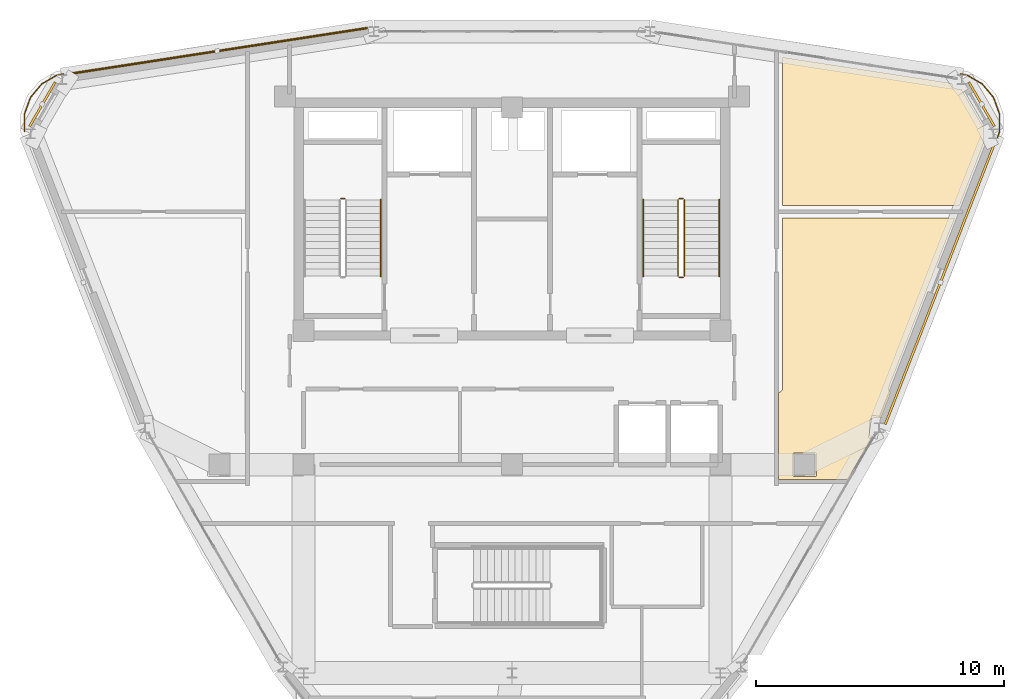
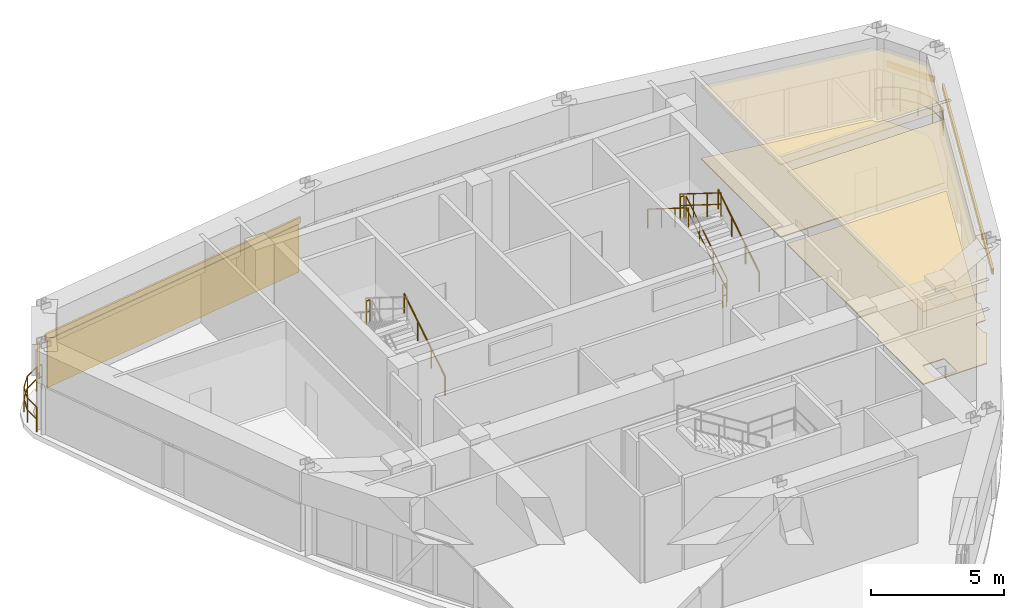
# One storey, part 17 of 17: 10 railings, 5 coverings, 4 shading devices.
"""IFC4 building model written with IfcOpenShell, lengths in metres."""

from ifc_helpers import new_model, si_unit, derived_unit, direction, frame, origin, origin_2d, place, context, subcontext, project, spatial, polyline, hollow_rectangle, circle, outline, extrude, source, transform, mapped, material, layer, layer_set, material_profile, profile_set, type_object, element, save


model = new_model("IFC4")

# Units and contexts
model_context = context("Model", 3, precision=1e-05, world=origin(), true_north=direction((0.0, 1.0)))
body_context = subcontext(model_context, "Body", "Model", "MODEL_VIEW")
ifc_project = project(units=[si_unit("LENGTHUNIT", "METRE"), si_unit("AREAUNIT", "SQUARE_METRE"), si_unit("VOLUMEUNIT", "CUBIC_METRE"), si_unit("PLANEANGLEUNIT", "RADIAN"), si_unit("MASSUNIT", "GRAM", prefix="KILO"), derived_unit("THERMALTRANSMITTANCEUNIT", [(si_unit("POWERUNIT", "WATT"), 1), (si_unit("LENGTHUNIT", "METRE"), -2), (si_unit("THERMODYNAMICTEMPERATUREUNIT", "KELVIN"), -1)])], contexts=[model_context])

# Site, building, storey
site_placement = place(None, origin())
site = spatial("IfcSite", under=ifc_project, at=site_placement, CompositionType="ELEMENT")
building_placement = place(site_placement, origin())
building = spatial("IfcBuilding", under=site, at=building_placement, Name="Korsvarv Bourse and Concert Hall", CompositionType="ELEMENT")
storey_placement = place(building_placement, frame((0.0, 0.0, 279.60009765625)))
storey = spatial("IfcBuildingStorey", under=building, at=storey_placement, Name="L73", CompositionType="ELEMENT", Elevation=279.60009765625)

# Coverings
ifc_material_1 = material(Name="Perforated mineral-wool and birch acoustic baffle ceiling", Category="wood")
ifc_layer_1 = layer(ifc_material_1, 0.02490234375)
ifc_layer_set_1 = layer_set([ifc_layer_1], Name="Perforated mineral-wool and birch acoustic baffle ceiling")
covering_type_1 = type_object("IfcCoveringType", Name="COV-CEIL-1", PredefinedType="CEILING", material=ifc_layer_set_1)
covering_1_placement = place(storey_placement, frame((0.0, 0.0, 3.33984375)))
element("IfcCovering", 1, at=covering_1_placement, inside=storey, type_object=covering_type_1, Name="L73 acoustic baffle ceiling 1", PredefinedType="CEILING", context=body_context, shape_type="SweptSolid", body=[
    extrude(outline(polyline([(46.75, 35.311279296875), (46.775146484375, 35.31591796875), (46.809326171875, 35.328369140625), (46.840087890625, 35.34765625), (46.86669921875, 35.372802734375), (46.887451171875, 35.402587890625), (46.901611328125, 35.43603515625), (46.9091796875, 35.4716796875), (46.909912109375, 42.35009765625), (53.8505859375, 42.35009765625), (51.202392578125, 35.544189453125), (51.19287109375, 35.50927734375), (51.1904296875, 35.472900390625), (51.1953125, 35.436767578125), (51.20751953125, 35.40234375), (51.22607421875, 35.37109375), (51.250732421875, 35.344482421875), (51.2802734375, 35.322998046875), (50.880615234375, 34.27587890625), (50.595947265625, 34.27880859375), (50.561279296875, 34.27587890625), (50.527587890625, 34.26611328125), (50.49658203125, 34.25), (50.468994140625, 34.228515625), (50.446533203125, 34.20166015625), (50.429443359375, 34.171142578125), (50.41845703125, 34.137939453125), (50.414306640625, 34.103271484375), (50.404296875, 33.6943359375), (50.40673828125, 33.659423828125), (50.416015625, 33.6259765625), (50.431396484375, 33.5947265625), (50.45263671875, 33.56689453125), (50.478759765625, 33.5439453125), (50.5087890625, 33.5263671875), (49.51611328125, 31.794921875), (49.4912109375, 31.802001953125), (49.45556640625, 31.8056640625), (46.75, 31.81005859375), (46.75, 35.311279296875)]), holes=[polyline([(47.365234375, 31.926025390625), (48.22509765625, 31.925048828125), (48.24853515625, 31.930908203125), (48.2666015625, 31.947265625), (48.27490234375, 31.97021484375), (48.27490234375, 32.824951171875), (48.26904296875, 32.8486328125), (48.252685546875, 32.86669921875), (48.22998046875, 32.874755859375), (47.375, 32.875), (47.351318359375, 32.869140625), (47.33349609375, 32.852783203125), (47.3251953125, 32.829833984375), (47.324951171875, 31.97509765625), (47.330810546875, 31.951416015625), (47.365234375, 31.926025390625)])]), origin(), (0.0, 0.0, 1.0), 0.025146484375),
])
covering_2_placement = place(storey_placement, frame((0.0, 0.0, 3.33984375)))
element("IfcCovering", 2, at=covering_2_placement, inside=storey, type_object=covering_type_1, Name="L73 acoustic baffle ceiling 3", PredefinedType="CEILING", context=body_context, shape_type="SweptSolid", body=[
    extrude(outline(polyline([(53.748291015625, 47.736083984375), (53.751708984375, 47.701904296875), (53.761474609375, 47.668701171875), (53.77734375, 47.63818359375), (53.798828125, 47.611083984375), (53.8251953125, 47.5888671875), (53.855224609375, 47.57177734375), (53.887939453125, 47.560791015625), (53.922119140625, 47.556396484375), (54.107666015625, 47.5498046875), (55.02587890625, 45.95947265625), (55.015625, 45.5458984375), (55.018310546875, 45.510498046875), (55.027587890625, 45.476318359375), (55.043701171875, 45.444580078125), (54.045166015625, 42.85009765625), (46.909912109375, 42.85009765625), (46.909912109375, 48.82421875), (53.748291015625, 47.773193359375), (53.748291015625, 47.736083984375)])), origin(), (0.0, 0.0, 1.0), 0.025146484375),
])
ifc_material_2 = material(Name="Warm iron-oxide extruded terracotta rainscreen tile", Category="ceramic")
ifc_layer_2 = layer(ifc_material_2, 0.044921875)
ifc_layer_set_2 = layer_set([ifc_layer_2], Name="Warm iron-oxide extruded terracotta rainscreen tile")
covering_type_2 = type_object("IfcCoveringType", Name="COV-CLD-TC", PredefinedType="CLADDING", material=ifc_layer_set_2)
covering_3_placement = place(storey_placement, origin())
element("IfcCovering", 3, at=covering_3_placement, inside=storey, type_object=covering_type_2, Name="L73 fluted terracotta cladding panel EW-L73-B04", PredefinedType="CLADDING", context=body_context, shape_type="SweptSolid", body=[
    extrude(outline(polyline([(30.12548828125, 49.95751953125), (18.125244140625, 48.11279296875), (18.118408203125, 48.157470703125), (30.11865234375, 50.001953125), (30.12548828125, 49.95751953125)])), origin(), (0.0, 0.0, 1.0), 2.199951171875),
])
ifc_material_3 = material(Name="Calcium-sulphate raised access trading floor with Nordic oak top", Category="wood")
ifc_layer_3 = layer(ifc_material_3, 0.0400390625)
ifc_layer_set_3 = layer_set([ifc_layer_3], Name="Calcium-sulphate raised access trading floor with Nordic oak top")
covering_type_3 = type_object("IfcCoveringType", Name="COV-FLOR-1", PredefinedType="FLOORING", material=ifc_layer_set_3)
covering_4_placement = place(storey_placement, origin())
element("IfcCovering", 4, at=covering_4_placement, inside=storey, type_object=covering_type_3, Name="L73 raised access oak floor finish 1", PredefinedType="FLOORING", context=body_context, shape_type="SweptSolid", body=[
    extrude(outline(polyline([(46.75, 35.311279296875), (46.775146484375, 35.31591796875), (46.809326171875, 35.328369140625), (46.840087890625, 35.34765625), (46.86669921875, 35.372802734375), (46.887451171875, 35.402587890625), (46.901611328125, 35.43603515625), (46.9091796875, 35.4716796875), (46.909912109375, 42.35009765625), (53.8505859375, 42.35009765625), (51.202392578125, 35.544189453125), (51.19287109375, 35.50927734375), (51.1904296875, 35.472900390625), (51.1953125, 35.436767578125), (51.20751953125, 35.40234375), (51.22607421875, 35.37109375), (51.250732421875, 35.344482421875), (51.2802734375, 35.322998046875), (50.880615234375, 34.27587890625), (50.595947265625, 34.27880859375), (50.561279296875, 34.27587890625), (50.527587890625, 34.26611328125), (50.49658203125, 34.25), (50.468994140625, 34.228515625), (50.446533203125, 34.20166015625), (50.429443359375, 34.171142578125), (50.41845703125, 34.137939453125), (50.414306640625, 34.103271484375), (50.404296875, 33.6943359375), (50.40673828125, 33.659423828125), (50.416015625, 33.6259765625), (50.431396484375, 33.5947265625), (50.45263671875, 33.56689453125), (50.478759765625, 33.5439453125), (50.5087890625, 33.5263671875), (49.51611328125, 31.794921875), (49.4912109375, 31.802001953125), (49.45556640625, 31.8056640625), (46.75, 31.81005859375), (46.75, 35.311279296875)]), holes=[polyline([(47.365234375, 31.926025390625), (48.22509765625, 31.925048828125), (48.24853515625, 31.930908203125), (48.2666015625, 31.947265625), (48.27490234375, 31.97021484375), (48.27490234375, 32.824951171875), (48.26904296875, 32.8486328125), (48.252685546875, 32.86669921875), (48.22998046875, 32.874755859375), (47.375, 32.875), (47.351318359375, 32.869140625), (47.33349609375, 32.852783203125), (47.3251953125, 32.829833984375), (47.324951171875, 31.97509765625), (47.330810546875, 31.951416015625), (47.365234375, 31.926025390625)])]), origin(), (0.0, 0.0, 1.0), 0.039794921875),
])
covering_5_placement = place(storey_placement, origin())
element("IfcCovering", 5, at=covering_5_placement, inside=storey, type_object=covering_type_3, Name="L73 raised access oak floor finish 3", PredefinedType="FLOORING", context=body_context, shape_type="SweptSolid", body=[
    extrude(outline(polyline([(53.748291015625, 47.736083984375), (53.751708984375, 47.701904296875), (53.761474609375, 47.668701171875), (53.77734375, 47.63818359375), (53.798828125, 47.611083984375), (53.8251953125, 47.5888671875), (53.855224609375, 47.57177734375), (53.887939453125, 47.560791015625), (53.922119140625, 47.556396484375), (54.107666015625, 47.5498046875), (55.02587890625, 45.95947265625), (55.015625, 45.5458984375), (55.018310546875, 45.510498046875), (55.027587890625, 45.476318359375), (55.043701171875, 45.444580078125), (54.045166015625, 42.85009765625), (46.909912109375, 42.85009765625), (46.909912109375, 48.82421875), (53.748291015625, 47.773193359375), (53.748291015625, 47.736083984375)])), origin(), (0.0, 0.0, 1.0), 0.039794921875),
])

# Railings
ifc_material_4 = material(Name="Laminated safety glass and stainless Steel S355 balustrade", Category="steel")
railing_type_1 = type_object("IfcRailingType", Name="RL-BAL-EXT", PredefinedType="BALUSTRADE", material=ifc_material_4)
railing_1_placement = place(storey_placement, frame((16.3447265625, 45.8232421875, 0.0)))
element("IfcRailing", 6, at=railing_1_placement, inside=storey, type_object=railing_type_1, Name="L73 terrace perimeter balustrade SKYG1-1", PredefinedType="BALUSTRADE", context=body_context, shape_type="SweptSolid", body=[
    extrude(circle(Radius=0.02392578125, at=origin_2d()), frame((0.0, 0.0, 1.1259765625), z_axis=(0.0, 1.0, 0.0), x_axis=(-1.0, 0.0, 0.0)), (0.0, 0.0, 1.0), 0.71337890625),
    extrude(circle(Radius=0.02392578125, at=origin_2d()), frame((0.0, 0.0, 0.574951171875), z_axis=(0.0, 1.0, 0.0), x_axis=(-1.0, 0.0, 0.0)), (0.0, 0.0, 1.0), 0.71337890625),
    extrude(circle(Radius=0.02392578125, at=origin_2d()), frame((0.0, 0.71337890625, 1.1259765625), z_axis=(0.342182617969, 0.939633468944, 0.0), x_axis=(-0.939633468944, 0.342182617969, 0.0)), (0.0, 0.0, 1.0), 0.71337890625),
    extrude(circle(Radius=0.02392578125, at=origin_2d()), frame((0.0, 0.71337890625, 0.574951171875), z_axis=(0.342182617969, 0.939633468944, 0.0), x_axis=(-0.939633468944, 0.342182617969, 0.0)), (0.0, 0.0, 1.0), 0.71337890625),
    extrude(circle(Radius=0.02392578125, at=origin_2d()), frame((0.244140625, 1.3837890625, 1.1259765625), z_axis=(0.642806696262, 0.766028427175, 0.0), x_axis=(-0.766028427175, 0.642806696262, 0.0)), (0.0, 0.0, 1.0), 0.71337890625),
    extrude(circle(Radius=0.02392578125, at=origin_2d()), frame((0.244140625, 1.3837890625, 0.574951171875), z_axis=(0.642806696262, 0.766028427175, 0.0), x_axis=(-0.766028427175, 0.642806696262, 0.0)), (0.0, 0.0, 1.0), 0.71337890625),
    extrude(circle(Radius=0.02392578125, at=origin_2d()), frame((0.70263671875, 1.93017578125, 1.1259765625), z_axis=(0.865980370161, 0.500077992413, 0.0), x_axis=(-0.500077992413, 0.865980370161, 0.0)), (0.0, 0.0, 1.0), 0.71337890625),
    extrude(circle(Radius=0.02392578125, at=origin_2d()), frame((0.70263671875, 1.93017578125, 0.574951171875), z_axis=(0.865980370161, 0.500077992413, 0.0), x_axis=(-0.500077992413, 0.865980370161, 0.0)), (0.0, 0.0, 1.0), 0.71337890625),
    extrude(circle(Radius=0.02392578125, at=origin_2d()), frame((1.3203125, 2.286865234375, 1.1259765625), z_axis=(0.984725074831, 0.174116417947, 0.0), x_axis=(-0.174116417947, 0.984725074831, 0.0)), (0.0, 0.0, 1.0), 0.25244140625),
    extrude(circle(Radius=0.02392578125, at=origin_2d()), frame((1.3203125, 2.286865234375, 0.574951171875), z_axis=(0.984725074831, 0.174116417947, 0.0), x_axis=(-0.174116417947, 0.984725074831, 0.0)), (0.0, 0.0, 1.0), 0.25244140625),
    extrude(circle(Radius=0.02099609375, at=origin_2d()), origin(), (0.0, 0.0, 1.0), 1.101806640625),
    extrude(circle(Radius=0.02099609375, at=origin_2d()), frame((0.0, 0.71337890625, 0.0)), (0.0, 0.0, 1.0), 1.101806640625),
    extrude(circle(Radius=0.02099609375, at=origin_2d()), frame((0.244140625, 1.3837890625, 0.0)), (0.0, 0.0, 1.0), 1.101806640625),
    extrude(circle(Radius=0.02099609375, at=origin_2d()), frame((0.70263671875, 1.93017578125, 0.0)), (0.0, 0.0, 1.0), 1.101806640625),
    extrude(circle(Radius=0.02099609375, at=origin_2d()), frame((1.3203125, 2.286865234375, 0.0)), (0.0, 0.0, 1.0), 1.101806640625),
    extrude(circle(Radius=0.02099609375, at=origin_2d()), frame((1.56884765625, 2.330810546875, 0.0)), (0.0, 0.0, 1.0), 1.101806640625),
])
railing_2_placement = place(storey_placement, frame((54.08642578125, 48.154052734375, 0.0)))
element("IfcRailing", 7, at=railing_2_placement, inside=storey, type_object=railing_type_1, Name="L73 terrace perimeter balustrade SKYG2-1", PredefinedType="BALUSTRADE", context=body_context, shape_type="SweptSolid", body=[
    extrude(circle(Radius=0.02392578125, at=origin_2d()), frame((0.0, 0.0, 1.1259765625), z_axis=(0.984725074831, -0.174116417947, 0.0), x_axis=(0.174116417947, 0.984725074831, 0.0)), (0.0, 0.0, 1.0), 0.25244140625),
    extrude(circle(Radius=0.02392578125, at=origin_2d()), frame((0.0, 0.0, 0.574951171875), z_axis=(0.984725074831, -0.174116417947, 0.0), x_axis=(0.174116417947, 0.984725074831, 0.0)), (0.0, 0.0, 1.0), 0.25244140625),
    extrude(circle(Radius=0.02392578125, at=origin_2d()), frame((0.24853515625, -0.0439453125, 1.1259765625), z_axis=(0.865980370161, -0.500077992413, 0.0), x_axis=(0.500077992413, 0.865980370161, 0.0)), (0.0, 0.0, 1.0), 0.71337890625),
    extrude(circle(Radius=0.02392578125, at=origin_2d()), frame((0.24853515625, -0.0439453125, 0.574951171875), z_axis=(0.865980370161, -0.500077992413, 0.0), x_axis=(0.500077992413, 0.865980370161, 0.0)), (0.0, 0.0, 1.0), 0.71337890625),
    extrude(circle(Radius=0.02392578125, at=origin_2d()), frame((0.8662109375, -0.400634765625, 1.1259765625), z_axis=(0.642806696262, -0.766028427175, 0.0), x_axis=(0.766028427175, 0.642806696262, 0.0)), (0.0, 0.0, 1.0), 0.71337890625),
    extrude(circle(Radius=0.02392578125, at=origin_2d()), frame((0.8662109375, -0.400634765625, 0.574951171875), z_axis=(0.642806696262, -0.766028427175, 0.0), x_axis=(0.766028427175, 0.642806696262, 0.0)), (0.0, 0.0, 1.0), 0.71337890625),
    extrude(circle(Radius=0.02392578125, at=origin_2d()), frame((1.32470703125, -0.947021484375, 1.1259765625), z_axis=(0.342182617969, -0.939633468944, 0.0), x_axis=(0.939633468944, 0.342182617969, 0.0)), (0.0, 0.0, 1.0), 0.71337890625),
    extrude(circle(Radius=0.02392578125, at=origin_2d()), frame((1.32470703125, -0.947021484375, 0.574951171875), z_axis=(0.342182617969, -0.939633468944, 0.0), x_axis=(0.939633468944, 0.342182617969, 0.0)), (0.0, 0.0, 1.0), 0.71337890625),
    extrude(circle(Radius=0.02392578125, at=origin_2d()), frame((1.56884765625, -1.617431640625, 1.1259765625), z_axis=(0.0, -1.0, 0.0), x_axis=(1.0, 0.0, 0.0)), (0.0, 0.0, 1.0), 0.71337890625),
    extrude(circle(Radius=0.02392578125, at=origin_2d()), frame((1.56884765625, -1.617431640625, 0.574951171875), z_axis=(0.0, -1.0, 0.0), x_axis=(1.0, 0.0, 0.0)), (0.0, 0.0, 1.0), 0.71337890625),
    extrude(circle(Radius=0.02392578125, at=origin_2d()), frame((1.56884765625, -2.330810546875, 1.1259765625), z_axis=(-0.342519827451, -0.939510600155, 0.0), x_axis=(0.939510600155, -0.342519827451, 0.0)), (0.0, 0.0, 1.0), 0.25244140625),
    extrude(circle(Radius=0.02392578125, at=origin_2d()), frame((1.56884765625, -2.330810546875, 0.574951171875), z_axis=(-0.342519827451, -0.939510600155, 0.0), x_axis=(0.939510600155, -0.342519827451, 0.0)), (0.0, 0.0, 1.0), 0.25244140625),
    extrude(circle(Radius=0.02099609375, at=origin_2d()), origin(), (0.0, 0.0, 1.0), 1.101806640625),
    extrude(circle(Radius=0.02099609375, at=origin_2d()), frame((0.24853515625, -0.0439453125, 0.0)), (0.0, 0.0, 1.0), 1.101806640625),
    extrude(circle(Radius=0.02099609375, at=origin_2d()), frame((0.8662109375, -0.400634765625, 0.0)), (0.0, 0.0, 1.0), 1.101806640625),
    extrude(circle(Radius=0.02099609375, at=origin_2d()), frame((1.32470703125, -0.947021484375, 0.0)), (0.0, 0.0, 1.0), 1.101806640625),
    extrude(circle(Radius=0.02099609375, at=origin_2d()), frame((1.56884765625, -1.617431640625, 0.0)), (0.0, 0.0, 1.0), 1.101806640625),
    extrude(circle(Radius=0.02099609375, at=origin_2d()), frame((1.56884765625, -2.330810546875, 0.0)), (0.0, 0.0, 1.0), 1.101806640625),
    extrude(circle(Radius=0.02099609375, at=origin_2d()), frame((1.482421875, -2.56787109375, 0.0)), (0.0, 0.0, 1.0), 1.101806640625),
])
ifc_material_5 = material(Name="Painted Steel S355 stair well guardrail", Category="steel")
railing_type_2 = type_object("IfcRailingType", Name="RL-ST-GRD", PredefinedType="GUARDRAIL", material=ifc_material_5)
railing_3_placement = place(storey_placement, frame((29.260009765625, 43.1298828125, 2.099853515625)))
element("IfcRailing", 8, at=railing_3_placement, inside=storey, type_object=railing_type_2, Name="L73 ST-T1 stair guard 2", PredefinedType="GUARDRAIL", context=body_context, shape_type="SweptSolid", body=[
    extrude(circle(Radius=0.02392578125, at=origin_2d()), frame((0.0, 0.0, 1.076171875), z_axis=(-1.0, 0.0, 0.0), x_axis=(0.0, -1.0, 0.0)), (0.0, 0.0, 1.0), 0.159912109375),
    extrude(circle(Radius=0.02392578125, at=origin_2d()), frame((0.0, 0.0, 0.550048828125), z_axis=(-1.0, 0.0, 0.0), x_axis=(0.0, -1.0, 0.0)), (0.0, 0.0, 1.0), 0.159912109375),
    extrude(circle(Radius=0.02099609375, at=origin_2d()), origin(), (0.0, 0.0, 1.0), 1.052001953125),
    extrude(circle(Radius=0.02099609375, at=origin_2d()), frame((-0.159912109375, 0.0, 0.0)), (0.0, 0.0, 1.0), 1.052001953125),
])
railing_4_placement = place(storey_placement, frame((42.949951171875, 40.0, 0.1748046875)))
element("IfcRailing", 9, at=railing_4_placement, inside=storey, type_object=railing_type_2, Name="L73 ST-T2 stair guard 1", PredefinedType="GUARDRAIL", context=body_context, shape_type="SweptSolid", body=[
    extrude(circle(Radius=0.02392578125, at=origin_2d()), frame((0.0, 0.0, 1.076171875), z_axis=(0.0, 0.847998304005, 0.529998940003), x_axis=(-1.0, 0.0, 0.0)), (0.0, 0.0, 1.0), 3.632080078125),
    extrude(circle(Radius=0.02392578125, at=origin_2d()), frame((0.0, 0.0, 0.550048828125), z_axis=(0.0, 0.847998304005, 0.529998940003), x_axis=(-1.0, 0.0, 0.0)), (0.0, 0.0, 1.0), 3.632080078125),
    extrude(circle(Radius=0.02099609375, at=origin_2d()), origin(), (0.0, 0.0, 1.0), 1.052001953125),
    extrude(circle(Radius=0.02099609375, at=origin_2d()), frame((0.0, 1.026611328125, 0.6416015625)), (0.0, 0.0, 1.0), 1.052001953125),
    extrude(circle(Radius=0.02099609375, at=origin_2d()), frame((0.0, 2.053466796875, 1.283447265625)), (0.0, 0.0, 1.0), 1.052001953125),
    extrude(circle(Radius=0.02099609375, at=origin_2d()), frame((0.0, 3.080078125, 1.925048828125)), (0.0, 0.0, 1.0), 1.052001953125),
])
railing_5_placement = place(storey_placement, frame((42.89990234375, 43.1298828125, 2.099853515625)))
element("IfcRailing", 10, at=railing_5_placement, inside=storey, type_object=railing_type_2, Name="L73 ST-T2 stair guard 2", PredefinedType="GUARDRAIL", context=body_context, shape_type="SweptSolid", body=[
    extrude(circle(Radius=0.02392578125, at=origin_2d()), frame((0.0, 0.0, 1.076171875), z_axis=(-1.0, 0.0, 0.0), x_axis=(0.0, -1.0, 0.0)), (0.0, 0.0, 1.0), 0.159912109375),
    extrude(circle(Radius=0.02392578125, at=origin_2d()), frame((0.0, 0.0, 0.550048828125), z_axis=(-1.0, 0.0, 0.0), x_axis=(0.0, -1.0, 0.0)), (0.0, 0.0, 1.0), 0.159912109375),
    extrude(circle(Radius=0.02099609375, at=origin_2d()), origin(), (0.0, 0.0, 1.0), 1.052001953125),
    extrude(circle(Radius=0.02099609375, at=origin_2d()), frame((-0.159912109375, 0.0, 0.0)), (0.0, 0.0, 1.0), 1.052001953125),
])
railing_6_placement = place(storey_placement, frame((42.68994140625, 43.080078125, 2.27490234375)))
element("IfcRailing", 11, at=railing_6_placement, inside=storey, type_object=railing_type_2, Name="L73 ST-T2 stair guard 3", PredefinedType="GUARDRAIL", context=body_context, shape_type="SweptSolid", body=[
    extrude(circle(Radius=0.02392578125, at=origin_2d()), frame((0.0, 0.0, 1.076171875), z_axis=(0.0, -0.847998304005, 0.529998940003), x_axis=(1.0, 0.0, 0.0)), (0.0, 0.0, 1.0), 3.632080078125),
    extrude(circle(Radius=0.02392578125, at=origin_2d()), frame((0.0, 0.0, 0.550048828125), z_axis=(0.0, -0.847998304005, 0.529998940003), x_axis=(1.0, 0.0, 0.0)), (0.0, 0.0, 1.0), 3.632080078125),
    extrude(circle(Radius=0.02099609375, at=origin_2d()), origin(), (0.0, 0.0, 1.0), 1.052001953125),
    extrude(circle(Radius=0.02099609375, at=origin_2d()), frame((0.0, -1.026611328125, 0.6416015625)), (0.0, 0.0, 1.0), 1.052001953125),
    extrude(circle(Radius=0.02099609375, at=origin_2d()), frame((0.0, -2.053466796875, 1.283447265625)), (0.0, 0.0, 1.0), 1.052001953125),
    extrude(circle(Radius=0.02099609375, at=origin_2d()), frame((0.0, -3.080078125, 1.925048828125)), (0.0, 0.0, 1.0), 1.052001953125),
])
railing_7_placement = place(storey_placement, frame((42.89990234375, 39.949951171875, 0.0)))
element("IfcRailing", 12, at=railing_7_placement, inside=storey, type_object=railing_type_2, Name="L73 ST-T2 stair guard 4", PredefinedType="GUARDRAIL", context=body_context, shape_type="SweptSolid", body=[
    extrude(circle(Radius=0.02392578125, at=origin_2d()), frame((0.0, 0.0, 1.076171875), z_axis=(-1.0, 0.0, 0.0), x_axis=(0.0, -1.0, 0.0)), (0.0, 0.0, 1.0), 0.159912109375),
    extrude(circle(Radius=0.02392578125, at=origin_2d()), frame((0.0, 0.0, 0.550048828125), z_axis=(-1.0, 0.0, 0.0), x_axis=(0.0, -1.0, 0.0)), (0.0, 0.0, 1.0), 0.159912109375),
    extrude(circle(Radius=0.02099609375, at=origin_2d()), origin(), (0.0, 0.0, 1.0), 1.052001953125),
    extrude(circle(Radius=0.02099609375, at=origin_2d()), frame((-0.159912109375, 0.0, 0.0)), (0.0, 0.0, 1.0), 1.052001953125),
])
ifc_material_6 = material(Name="Brushed stainless Steel S355 tubular handrail", Category="steel")
railing_type_3 = type_object("IfcRailingType", Name="RL-ST-HND", PredefinedType="HANDRAIL", material=ifc_material_6)
for number, where, name in (
    (13, (30.7099609375, 40.0, 0.1748046875), "L73 ST-T1 stair handrail 1"),
    (14, (44.35009765625, 40.0, 0.1748046875), "L73 ST-T2 stair handrail 1"),
):
    element("IfcRailing", number, at=place(storey_placement, frame(where)), inside=storey, type_object=railing_type_3, Name=name, PredefinedType="HANDRAIL", context=body_context, shape_type="SweptSolid", body=[
        extrude(circle(Radius=0.02392578125, at=origin_2d()), frame((0.0, 0.0, 0.8759765625), z_axis=(0.0, 0.847998304005, 0.529998940003), x_axis=(-1.0, 0.0, 0.0)), (0.0, 0.0, 1.0), 3.632080078125),
        extrude(circle(Radius=0.02099609375, at=origin_2d()), origin(), (0.0, 0.0, 1.0), 0.851806640625),
        extrude(circle(Radius=0.02099609375, at=origin_2d()), frame((0.0, 1.026611328125, 0.6416015625)), (0.0, 0.0, 1.0), 0.851806640625),
        extrude(circle(Radius=0.02099609375, at=origin_2d()), frame((0.0, 2.053466796875, 1.283447265625)), (0.0, 0.0, 1.0), 0.851806640625),
        extrude(circle(Radius=0.02099609375, at=origin_2d()), frame((0.0, 3.080078125, 1.925048828125)), (0.0, 0.0, 1.0), 0.851806640625),
    ])
railing_8_placement = place(storey_placement, frame((41.2900390625, 43.080078125, 2.27490234375)))
element("IfcRailing", 15, at=railing_8_placement, inside=storey, type_object=railing_type_3, Name="L73 ST-T2 stair handrail 2", PredefinedType="HANDRAIL", context=body_context, shape_type="SweptSolid", body=[
    extrude(circle(Radius=0.02392578125, at=origin_2d()), frame((0.0, 0.0, 0.8759765625), z_axis=(0.0, -0.847998304005, 0.529998940003), x_axis=(1.0, 0.0, 0.0)), (0.0, 0.0, 1.0), 3.632080078125),
    extrude(circle(Radius=0.02099609375, at=origin_2d()), origin(), (0.0, 0.0, 1.0), 0.851806640625),
    extrude(circle(Radius=0.02099609375, at=origin_2d()), frame((0.0, -1.026611328125, 0.6416015625)), (0.0, 0.0, 1.0), 0.851806640625),
    extrude(circle(Radius=0.02099609375, at=origin_2d()), frame((0.0, -2.053466796875, 1.283447265625)), (0.0, 0.0, 1.0), 0.851806640625),
    extrude(circle(Radius=0.02099609375, at=origin_2d()), frame((0.0, -3.080078125, 1.925048828125)), (0.0, 0.0, 1.0), 0.851806640625),
])

# Shading devices
ifc_material_7 = material(Name="Glazed extruded architectural terracotta", Category="ceramic")
ifc_material_profile = material_profile(ifc_material_7, hollow_rectangle(XDim=0.090087890625, YDim=0.260009765625, WallThickness=0.011962890625, at=origin_2d()), Name="TC-BAG 90x260")
ifc_profile_set = profile_set([ifc_material_profile], Name="Glazed extruded architectural terracotta")
shading_device_type = type_object("IfcShadingDeviceType", Name="SHD-BAG-1", PredefinedType="USERDEFINED", material=ifc_profile_set)
shared_shape_1 = source(origin(), body_context, "Body", "SweptSolid", [
    extrude(hollow_rectangle(XDim=0.090087890625, YDim=0.260009765625, WallThickness=0.011962890625, at=origin_2d()), origin(), (0.0, 0.0, 1.0), 2.06201171875),
])
for number, where, z_axis, x_axis, name in (
    (16, (55.447998046875, 46.037841796875, 2.35986328125), (-0.499883026796, 0.866092927763, 0.0), (-0.866092927763, -0.499883026796, 0.0), "L73 terracotta baguette sunshade EW-L73-B01"),
    (17, (17.582763671875, 47.82373046875, 2.35986328125), (-0.499883026796, -0.866092927763, 0.0), (0.866092927763, -0.499883026796, 0.0), "L73 terracotta baguette sunshade EW-L73-B05"),
):
    element("IfcShadingDevice", number, at=place(storey_placement, frame(where, z_axis=z_axis, x_axis=x_axis)), inside=storey, type_object=shading_device_type, Name=name, ObjectType="BAGUETTE", PredefinedType="USERDEFINED", context=body_context, shape_type="MappedRepresentation", body=[
        mapped(shared_shape_1, transform((0.0, 0.0, 0.0), scale=1.0)),
    ])
shared_shape_2 = source(origin(), body_context, "Body", "SweptSolid", [
    extrude(hollow_rectangle(XDim=0.090087890625, YDim=0.260009765625, WallThickness=0.011962890625, at=origin_2d()), origin(), (0.0, 0.0, 1.0), 12.30126953125),
])
shading_device_1_placement = place(storey_placement, frame((30.198486328125, 50.00927734375, 2.35986328125), z_axis=(-0.988391650679, -0.151927432902, 0.0), x_axis=(0.151927432902, -0.988391650679, 0.0)))
element("IfcShadingDevice", 18, at=shading_device_1_placement, inside=storey, type_object=shading_device_type, Name="L73 terracotta baguette sunshade EW-L73-B04", ObjectType="BAGUETTE", PredefinedType="USERDEFINED", context=body_context, shape_type="MappedRepresentation", body=[
    mapped(shared_shape_2, transform((0.0, 0.0, 0.0), scale=1.0)),
])
shared_shape_3 = source(origin(), body_context, "Body", "SweptSolid", [
    extrude(hollow_rectangle(XDim=0.090087890625, YDim=0.260009765625, WallThickness=0.011962890625, at=origin_2d()), origin(), (0.0, 0.0, 1.0), 12.278076171875),
])
shading_device_2_placement = place(storey_placement, frame((51.046630859375, 34.02685546875, 2.35986328125), z_axis=(0.362611301042, 0.931940472539, 0.0), x_axis=(-0.931940472539, 0.362611301042, 0.0)))
element("IfcShadingDevice", 19, at=shading_device_2_placement, inside=storey, type_object=shading_device_type, Name="L73 terracotta baguette sunshade EW-L73-B12", ObjectType="BAGUETTE", PredefinedType="USERDEFINED", context=body_context, shape_type="MappedRepresentation", body=[
    mapped(shared_shape_3, transform((0.0, 0.0, 0.0), scale=1.0)),
])

save(model, "model.ifc")
